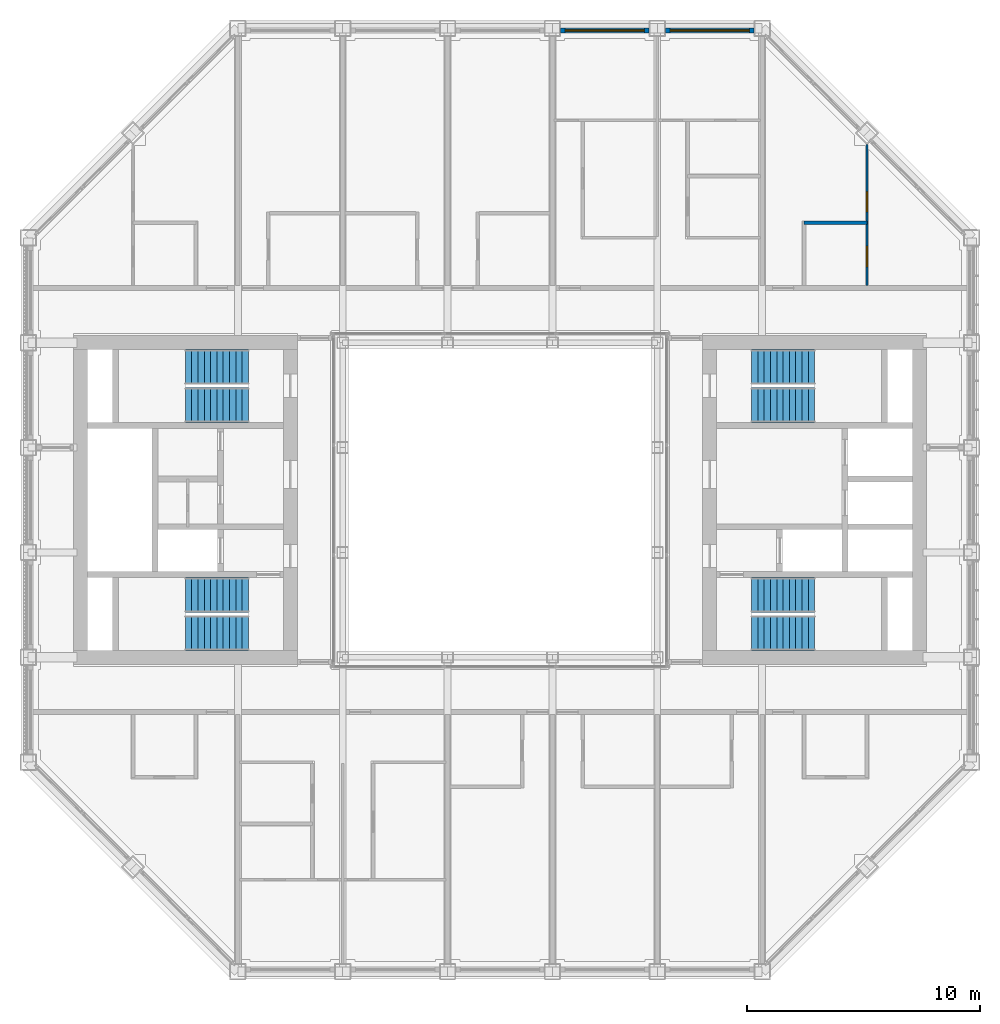
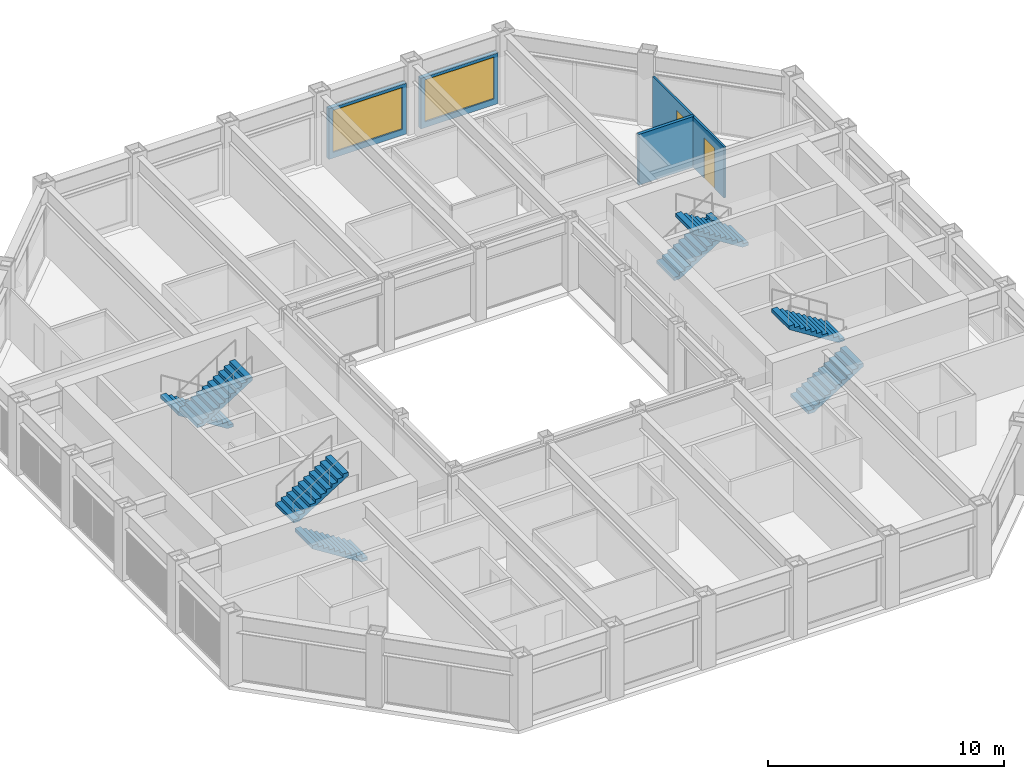
# One storey, part 13 of 18: 8 stair flights, 4 walls, 2 doors, 2 windows, 4 openings, 4 elements without a shape of their own.
"""IFC4 building model written with IfcOpenShell, lengths in metres."""

from ifc_helpers import new_model, si_unit, direction, frame, frame_2d, origin, place, context, subcontext, project, spatial, polyline, rectangle, outline, extrude, material, layer, layer_set, type_object, element, fill, aggregate, save


model = new_model("IFC4")

# Units and contexts
model_context = context("Model", 3, precision=1e-05, world=origin(), true_north=direction((0.0, 1.0)))
body_context = subcontext(model_context, "Body", "Model", "MODEL_VIEW")
ifc_project = project(units=[si_unit("LENGTHUNIT", "METRE"), si_unit("AREAUNIT", "SQUARE_METRE"), si_unit("VOLUMEUNIT", "CUBIC_METRE"), si_unit("PLANEANGLEUNIT", "RADIAN"), si_unit("MASSUNIT", "GRAM", prefix="KILO")], contexts=[model_context])

# Site, building, storey
site_placement = place(None, origin())
site = spatial("IfcSite", under=ifc_project, at=site_placement, CompositionType="ELEMENT")
building_placement = place(site_placement, origin())
building = spatial("IfcBuilding", under=site, at=building_placement, Name="Msasa Ring Tower", CompositionType="ELEMENT")
storey_placement = place(building_placement, frame((0.0, 0.0, 223.300048828125)))
storey = spatial("IfcBuildingStorey", under=building, at=storey_placement, Name="L58", CompositionType="ELEMENT", Elevation=223.300048828125)

# Wall, opening, window
ifc_material_1 = material(Name="Terracotta rainscreen on blockwork", Category="masonry")
ifc_layer_1 = layer(ifc_material_1, 0.199951171875)
ifc_layer_set_1 = layer_set([ifc_layer_1], Name="FW1 TERRACOTTA-LINED INFILL BAY WALL 200")
wall_type_1 = type_object("IfcWallType", Name="FW1 TERRACOTTA-LINED INFILL BAY WALL 200", PredefinedType="SOLIDWALL", material=ifc_layer_set_1)
wall_1_placement = place(storey_placement, frame((2.60498046875, 20.14990234375, 0.0), z_axis=(0.0, 0.0, 1.0), x_axis=(1.0, 0.0, 0.0)))
wall_1 = element("IfcWall", 1, at=wall_1_placement, inside=storey, type_object=wall_type_1, Name="Infill bay wall N L58 17", PredefinedType="SOLIDWALL", context=body_context, shape_type="SweptSolid", body=[
    extrude(rectangle(XDim=3.7900390625, YDim=0.199951171875, at=frame_2d((1.89501953125, 0.0))), origin(), (0.0, 0.0, 1.0), 2.62890625),
])
opening_1_placement = place(wall_1_placement, frame((0.195068359375, 0.0, 0.300048828125)))
opening_1 = element("IfcOpeningElement", 2, at=opening_1_placement, cuts=wall_1, Name="Opening WN3", PredefinedType="OPENING", context=body_context, shape_type="SweptSolid", body=[
    extrude(rectangle(XDim=3.39990234375, YDim=2.178955078125, at=frame_2d((1.699951171875, 1.08935546875))), frame((0.0, 0.10986328125, 0.0), z_axis=(0.0, -1.0, 0.0), x_axis=(1.0, 0.0, 0.0)), (0.0, 0.0, 1.0), 0.219970703125),
])
ifc_material_2 = material(Name="Aluminium frame with clear glass", Category="aluminium")
window_type = type_object("IfcWindowType", Name="WN3 SUITE WINDOW 3400x2179", PartitioningType="SINGLE_PANEL", PredefinedType="WINDOW", material=ifc_material_2)
window_1_placement = place(opening_1_placement, origin())
window_1 = element("IfcWindow", 3, at=window_1_placement, inside=storey, type_object=window_type, Name="Window N L58 17", OverallHeight=2.178955078125, OverallWidth=3.39990234375, PartitioningType="SINGLE_PANEL", PredefinedType="WINDOW", context=body_context, shape_type="SweptSolid", body=[
    extrude(rectangle(XDim=3.39990234375, YDim=2.178955078125, at=frame_2d((1.699951171875, 1.08935546875))), frame((0.0, 0.030029296875, 0.0), z_axis=(0.0, -1.0, 0.0), x_axis=(1.0, 0.0, 0.0)), (0.0, 0.0, 1.0), 0.06005859375),
])
fill(opening_1, window_1)

wall_2_placement = place(storey_placement, frame((7.10498046875, 20.14990234375, 0.0), z_axis=(0.0, 0.0, 1.0), x_axis=(1.0, 0.0, 0.0)))
wall_2 = element("IfcWall", 4, at=wall_2_placement, inside=storey, type_object=wall_type_1, Name="Infill bay wall N L58 18", PredefinedType="SOLIDWALL", context=body_context, shape_type="SweptSolid", body=[
    extrude(rectangle(XDim=3.7900390625, YDim=0.199951171875, at=frame_2d((1.89501953125, 0.0))), origin(), (0.0, 0.0, 1.0), 2.62890625),
])
opening_2_placement = place(wall_2_placement, frame((0.195068359375, 0.0, 0.300048828125)))
opening_2 = element("IfcOpeningElement", 5, at=opening_2_placement, cuts=wall_2, Name="Opening WN3", PredefinedType="OPENING", context=body_context, shape_type="SweptSolid", body=[
    extrude(rectangle(XDim=3.39990234375, YDim=2.178955078125, at=frame_2d((1.699951171875, 1.08935546875))), frame((0.0, 0.10986328125, 0.0), z_axis=(0.0, -1.0, 0.0), x_axis=(1.0, 0.0, 0.0)), (0.0, 0.0, 1.0), 0.219970703125),
])
window_2_placement = place(opening_2_placement, origin())
window_2 = element("IfcWindow", 6, at=window_2_placement, inside=storey, type_object=window_type, Name="Window N L58 18", OverallHeight=2.178955078125, OverallWidth=3.39990234375, PartitioningType="SINGLE_PANEL", PredefinedType="WINDOW", context=body_context, shape_type="SweptSolid", body=[
    extrude(rectangle(XDim=3.39990234375, YDim=2.178955078125, at=frame_2d((1.699951171875, 1.08935546875))), frame((0.0, 0.030029296875, 0.0), z_axis=(0.0, -1.0, 0.0), x_axis=(1.0, 0.0, 0.0)), (0.0, 0.0, 1.0), 0.06005859375),
])
fill(opening_2, window_2)

# Wall, openings, doors
ifc_material_3 = material(Name="Gypsum board on steel studs", Category="steel")
ifc_layer_2 = layer(ifc_material_3, 0.10009765625)
ifc_layer_set_2 = layer_set([ifc_layer_2], Name="PT2 STUD PARTITION 100")
wall_type_2 = type_object("IfcWallType", Name="PT2 STUD PARTITION 100", PredefinedType="PARTITIONING", material=ifc_layer_set_2)
wall_3_placement = place(storey_placement, frame((15.75, 9.199951171875, 0.0), z_axis=(0.0, 0.0, 1.0), x_axis=(0.0, 1.0, 0.0)))
wall_3 = element("IfcWall", 7, at=wall_3_placement, inside=storey, type_object=wall_type_2, Name="Partition L58-CSNEP1", PredefinedType="PARTITIONING", context=body_context, shape_type="SweptSolid", body=[
    extrude(rectangle(XDim=6.054931640625, YDim=0.10009765625, at=frame_2d((3.02734375, 0.0))), origin(), (0.0, 0.0, 1.0), 2.62890625),
])
opening_3_placement = place(wall_3_placement, frame((3.175048828125, 0.0, 0.0)))
opening_3 = element("IfcOpeningElement", 8, at=opening_3_placement, cuts=wall_3, Name="Opening SC-006", PredefinedType="OPENING", context=body_context, shape_type="SweptSolid", body=[
    extrude(rectangle(XDim=0.85009765625, YDim=2.10009765625, at=frame_2d((0.425048828125, 1.050048828125))), frame((0.0, 0.06005859375, 0.0), z_axis=(0.0, -1.0, 0.0), x_axis=(1.0, 0.0, 0.0)), (0.0, 0.0, 1.0), 0.1201171875),
])
opening_4_placement = place(wall_3_placement, frame((0.800048828125, 0.0, 0.0)))
opening_4 = element("IfcOpeningElement", 9, at=opening_4_placement, cuts=wall_3, Name="Opening SC-012", PredefinedType="OPENING", context=body_context, shape_type="SweptSolid", body=[
    extrude(rectangle(XDim=0.89990234375, YDim=2.10009765625, at=frame_2d((0.449951171875, 1.050048828125))), frame((0.0, 0.06005859375, 0.0), z_axis=(0.0, -1.0, 0.0), x_axis=(1.0, 0.0, 0.0)), (0.0, 0.0, 1.0), 0.1201171875),
])
ifc_material_4 = material(Name="Timber door leaf in a steel frame", Category="steel")
door_type_1 = type_object("IfcDoorType", Name="D14 BEDROOM DOOR 850x2100", OperationType="SINGLE_SWING_LEFT", PredefinedType="DOOR", material=ifc_material_4)
door_1_placement = place(opening_3_placement, origin())
door_1 = element("IfcDoor", 10, at=door_1_placement, inside=storey, type_object=door_type_1, Name="Door L58-CSNER1", OperationType="SINGLE_SWING_RIGHT", OverallHeight=2.10009765625, OverallWidth=0.85009765625, PredefinedType="DOOR", context=body_context, shape_type="SweptSolid", body=[
    extrude(rectangle(XDim=0.85009765625, YDim=2.10009765625, at=frame_2d((0.425048828125, 1.050048828125))), frame((0.0, 0.02490234375, 0.0), z_axis=(0.0, -1.0, 0.0), x_axis=(1.0, 0.0, 0.0)), (0.0, 0.0, 1.0), 0.050048828125),
])
fill(opening_3, door_1)
ifc_material_5 = material(Name="Timber door leaf in a steel frame", Category="steel")
door_type_2 = type_object("IfcDoorType", Name="D3 BATHROOM DOOR 900x2100", OperationType="SINGLE_SWING_LEFT", PredefinedType="DOOR", material=ifc_material_5)
door_2_placement = place(opening_4_placement, origin())
door_2 = element("IfcDoor", 11, at=door_2_placement, inside=storey, type_object=door_type_2, Name="Door L58-CSNEB1", OperationType="SINGLE_SWING_LEFT", OverallHeight=2.10009765625, OverallWidth=0.89990234375, PredefinedType="DOOR", context=body_context, shape_type="SweptSolid", body=[
    extrude(rectangle(XDim=0.89990234375, YDim=2.10009765625, at=frame_2d((0.449951171875, 1.050048828125))), frame((0.0, 0.02490234375, 0.0), z_axis=(0.0, -1.0, 0.0), x_axis=(1.0, 0.0, 0.0)), (0.0, 0.0, 1.0), 0.050048828125),
])
fill(opening_4, door_2)

# Wall
ifc_material_6 = material(Name="Moisture-resistant board on steel studs with a concealed cistern and pipe void, tiled", Category="steel")
ifc_layer_3 = layer(ifc_material_6, 0.14990234375)
ifc_layer_set_3 = layer_set([ifc_layer_3], Name="PT4 BATHROOM WET WALL 150")
wall_type_3 = type_object("IfcWallType", Name="PT4 BATHROOM WET WALL 150", PredefinedType="PARTITIONING", material=ifc_layer_set_3)
wall_4_placement = place(storey_placement, frame((13.050048828125, 11.89990234375, 0.0), z_axis=(0.0, 0.0, 1.0), x_axis=(1.0, 0.0, 0.0)))
element("IfcWall", 12, at=wall_4_placement, inside=storey, type_object=wall_type_3, Name="Partition L58-CSNEBY", PredefinedType="PARTITIONING", context=body_context, shape_type="SweptSolid", body=[
    extrude(rectangle(XDim=2.699951171875, YDim=0.14990234375, at=frame_2d((1.35009765625, 0.0))), origin(), (0.0, 0.0, 1.0), 2.62890625),
])

# Stair, stair flights
ifc_material_7 = material(Name="Concrete C40/50", Category="concrete")
stair_type = type_object("IfcStairType", Name="STC CORE STAIR 22 RISERS 170.5", PredefinedType="HALF_TURN_STAIR", material=ifc_material_7)
stair_1_placement = place(storey_placement, origin())
stair_1 = element("IfcStair", 13, at=stair_1_placement, inside=storey, type_object=stair_type, Name="Core stair SEA L58", PredefinedType="HALF_TURN_STAIR")
ifc_material_8 = material(Name="Concrete C40/50", Category="concrete")
stair_flight_type = type_object("IfcStairFlightType", Name="ST11 CORE STAIR FLIGHT 1500 11 RISERS 170.5", PredefinedType="STRAIGHT", material=ifc_material_8)
stair_flight_1_placement = place(storey_placement, frame((10.800048828125, -5.699951171875, 0.0), z_axis=(0.0, 0.0, 1.0), x_axis=(1.0, 0.0, 0.0)))
stair_flight_1 = element("IfcStairFlight", 14, at=stair_flight_1_placement, type_object=stair_flight_type, Name="SEA flight 1", NumberOfRisers=11, NumberOfTreads=10, PredefinedType="STRAIGHT", RiserHeight=0.170454545, TreadLength=0.27, context=body_context, shape_type="SweptSolid", body=[
    extrude(outline(polyline([(0.0, 0.0), (0.0, 0.17041015625), (0.27001953125, 0.17041015625), (0.27001953125, 0.3408203125), (0.5400390625, 0.3408203125), (0.5400390625, 0.511474609375), (0.81005859375, 0.511474609375), (0.81005859375, 0.681884765625), (1.080078125, 0.681884765625), (1.080078125, 0.852294921875), (1.35009765625, 0.852294921875), (1.35009765625, 1.022705078125), (1.6201171875, 1.022705078125), (1.6201171875, 1.193115234375), (1.889892578125, 1.193115234375), (1.889892578125, 1.363525390625), (2.159912109375, 1.363525390625), (2.159912109375, 1.5341796875), (2.429931640625, 1.5341796875), (2.429931640625, 1.70458984375), (2.699951171875, 1.70458984375), (2.699951171875, 1.875), (2.699951171875, 1.52734375), (0.28076171875, 0.0), (0.0, 0.0)])), frame((0.0, 0.75, 0.0), z_axis=(0.0, -1.0, 0.0), x_axis=(1.0, 0.0, 0.0)), (0.0, 0.0, 1.0), 1.5),
])
stair_flight_2_placement = place(storey_placement, frame((13.5, -4.074951171875, 1.875), z_axis=(0.0, 0.0, 1.0), x_axis=(-1.0, 0.0, 0.0)))
stair_flight_2 = element("IfcStairFlight", 15, at=stair_flight_2_placement, type_object=stair_flight_type, Name="SEA flight 2", NumberOfRisers=11, NumberOfTreads=10, PredefinedType="STRAIGHT", RiserHeight=0.170454545, TreadLength=0.27, context=body_context, shape_type="SweptSolid", body=[
    extrude(outline(polyline([(0.0, 0.0), (0.0, 0.17041015625), (0.27001953125, 0.17041015625), (0.27001953125, 0.3408203125), (0.5400390625, 0.3408203125), (0.5400390625, 0.511474609375), (0.81005859375, 0.511474609375), (0.81005859375, 0.681884765625), (1.080078125, 0.681884765625), (1.080078125, 0.852294921875), (1.35009765625, 0.852294921875), (1.35009765625, 1.022705078125), (1.6201171875, 1.022705078125), (1.6201171875, 1.193115234375), (1.889892578125, 1.193115234375), (1.889892578125, 1.363525390625), (2.159912109375, 1.363525390625), (2.159912109375, 1.5341796875), (2.429931640625, 1.5341796875), (2.429931640625, 1.70458984375), (2.699951171875, 1.70458984375), (2.699951171875, 1.875), (2.699951171875, 1.52734375), (0.28076171875, 0.0), (0.0, 0.0)])), frame((0.0, 0.75, 0.0), z_axis=(0.0, -1.0, 0.0), x_axis=(1.0, 0.0, 0.0)), (0.0, 0.0, 1.0), 1.5),
])
aggregate(stair_1, [stair_flight_1, stair_flight_2])

stair_2_placement = place(storey_placement, origin())
stair_2 = element("IfcStair", 16, at=stair_2_placement, inside=storey, type_object=stair_type, Name="Core stair SEB L58", PredefinedType="HALF_TURN_STAIR")
stair_flight_3_placement = place(storey_placement, frame((10.800048828125, 5.699951171875, 0.0), z_axis=(0.0, 0.0, 1.0), x_axis=(1.0, 0.0, 0.0)))
stair_flight_3 = element("IfcStairFlight", 17, at=stair_flight_3_placement, type_object=stair_flight_type, Name="SEB flight 1", NumberOfRisers=11, NumberOfTreads=10, PredefinedType="STRAIGHT", RiserHeight=0.170454545, TreadLength=0.27, context=body_context, shape_type="SweptSolid", body=[
    extrude(outline(polyline([(0.0, 0.0), (0.0, 0.17041015625), (0.27001953125, 0.17041015625), (0.27001953125, 0.3408203125), (0.5400390625, 0.3408203125), (0.5400390625, 0.511474609375), (0.81005859375, 0.511474609375), (0.81005859375, 0.681884765625), (1.080078125, 0.681884765625), (1.080078125, 0.852294921875), (1.35009765625, 0.852294921875), (1.35009765625, 1.022705078125), (1.6201171875, 1.022705078125), (1.6201171875, 1.193115234375), (1.889892578125, 1.193115234375), (1.889892578125, 1.363525390625), (2.159912109375, 1.363525390625), (2.159912109375, 1.5341796875), (2.429931640625, 1.5341796875), (2.429931640625, 1.70458984375), (2.699951171875, 1.70458984375), (2.699951171875, 1.875), (2.699951171875, 1.52734375), (0.28076171875, 0.0), (0.0, 0.0)])), frame((0.0, 0.75, 0.0), z_axis=(0.0, -1.0, 0.0), x_axis=(1.0, 0.0, 0.0)), (0.0, 0.0, 1.0), 1.5),
])
stair_flight_4_placement = place(storey_placement, frame((13.5, 4.074951171875, 1.875), z_axis=(0.0, 0.0, 1.0), x_axis=(-1.0, 0.0, 0.0)))
stair_flight_4 = element("IfcStairFlight", 18, at=stair_flight_4_placement, type_object=stair_flight_type, Name="SEB flight 2", NumberOfRisers=11, NumberOfTreads=10, PredefinedType="STRAIGHT", RiserHeight=0.170454545, TreadLength=0.27, context=body_context, shape_type="SweptSolid", body=[
    extrude(outline(polyline([(0.0, 0.0), (0.0, 0.17041015625), (0.27001953125, 0.17041015625), (0.27001953125, 0.3408203125), (0.5400390625, 0.3408203125), (0.5400390625, 0.511474609375), (0.81005859375, 0.511474609375), (0.81005859375, 0.681884765625), (1.080078125, 0.681884765625), (1.080078125, 0.852294921875), (1.35009765625, 0.852294921875), (1.35009765625, 1.022705078125), (1.6201171875, 1.022705078125), (1.6201171875, 1.193115234375), (1.889892578125, 1.193115234375), (1.889892578125, 1.363525390625), (2.159912109375, 1.363525390625), (2.159912109375, 1.5341796875), (2.429931640625, 1.5341796875), (2.429931640625, 1.70458984375), (2.699951171875, 1.70458984375), (2.699951171875, 1.875), (2.699951171875, 1.52734375), (0.28076171875, 0.0), (0.0, 0.0)])), frame((0.0, 0.75, 0.0), z_axis=(0.0, -1.0, 0.0), x_axis=(1.0, 0.0, 0.0)), (0.0, 0.0, 1.0), 1.5),
])
aggregate(stair_2, [stair_flight_3, stair_flight_4])

stair_3_placement = place(storey_placement, origin())
stair_3 = element("IfcStair", 19, at=stair_3_placement, inside=storey, type_object=stair_type, Name="Core stair SWA L58", PredefinedType="HALF_TURN_STAIR")
stair_flight_5_placement = place(storey_placement, frame((-10.800048828125, -5.699951171875, 0.0), z_axis=(0.0, 0.0, 1.0), x_axis=(-1.0, 0.0, 0.0)))
stair_flight_5 = element("IfcStairFlight", 20, at=stair_flight_5_placement, type_object=stair_flight_type, Name="SWA flight 1", NumberOfRisers=11, NumberOfTreads=10, PredefinedType="STRAIGHT", RiserHeight=0.170454545, TreadLength=0.27, context=body_context, shape_type="SweptSolid", body=[
    extrude(outline(polyline([(0.0, 0.0), (0.0, 0.17041015625), (0.27001953125, 0.17041015625), (0.27001953125, 0.3408203125), (0.5400390625, 0.3408203125), (0.5400390625, 0.511474609375), (0.81005859375, 0.511474609375), (0.81005859375, 0.681884765625), (1.080078125, 0.681884765625), (1.080078125, 0.852294921875), (1.35009765625, 0.852294921875), (1.35009765625, 1.022705078125), (1.6201171875, 1.022705078125), (1.6201171875, 1.193115234375), (1.889892578125, 1.193115234375), (1.889892578125, 1.363525390625), (2.159912109375, 1.363525390625), (2.159912109375, 1.5341796875), (2.429931640625, 1.5341796875), (2.429931640625, 1.70458984375), (2.699951171875, 1.70458984375), (2.699951171875, 1.875), (2.699951171875, 1.52734375), (0.28076171875, 0.0), (0.0, 0.0)])), frame((0.0, 0.75, 0.0), z_axis=(0.0, -1.0, 0.0), x_axis=(1.0, 0.0, 0.0)), (0.0, 0.0, 1.0), 1.5),
])
stair_flight_6_placement = place(storey_placement, frame((-13.5, -4.074951171875, 1.875), z_axis=(0.0, 0.0, 1.0), x_axis=(1.0, 0.0, 0.0)))
stair_flight_6 = element("IfcStairFlight", 21, at=stair_flight_6_placement, type_object=stair_flight_type, Name="SWA flight 2", NumberOfRisers=11, NumberOfTreads=10, PredefinedType="STRAIGHT", RiserHeight=0.170454545, TreadLength=0.27, context=body_context, shape_type="SweptSolid", body=[
    extrude(outline(polyline([(0.0, 0.0), (0.0, 0.17041015625), (0.27001953125, 0.17041015625), (0.27001953125, 0.3408203125), (0.5400390625, 0.3408203125), (0.5400390625, 0.511474609375), (0.81005859375, 0.511474609375), (0.81005859375, 0.681884765625), (1.080078125, 0.681884765625), (1.080078125, 0.852294921875), (1.35009765625, 0.852294921875), (1.35009765625, 1.022705078125), (1.6201171875, 1.022705078125), (1.6201171875, 1.193115234375), (1.889892578125, 1.193115234375), (1.889892578125, 1.363525390625), (2.159912109375, 1.363525390625), (2.159912109375, 1.5341796875), (2.429931640625, 1.5341796875), (2.429931640625, 1.70458984375), (2.699951171875, 1.70458984375), (2.699951171875, 1.875), (2.699951171875, 1.52734375), (0.28076171875, 0.0), (0.0, 0.0)])), frame((0.0, 0.75, 0.0), z_axis=(0.0, -1.0, 0.0), x_axis=(1.0, 0.0, 0.0)), (0.0, 0.0, 1.0), 1.5),
])
aggregate(stair_3, [stair_flight_5, stair_flight_6])

stair_4_placement = place(storey_placement, origin())
stair_4 = element("IfcStair", 22, at=stair_4_placement, inside=storey, type_object=stair_type, Name="Core stair SWB L58", PredefinedType="HALF_TURN_STAIR")
stair_flight_7_placement = place(storey_placement, frame((-10.800048828125, 5.699951171875, 0.0), z_axis=(0.0, 0.0, 1.0), x_axis=(-1.0, 0.0, 0.0)))
stair_flight_7 = element("IfcStairFlight", 23, at=stair_flight_7_placement, type_object=stair_flight_type, Name="SWB flight 1", NumberOfRisers=11, NumberOfTreads=10, PredefinedType="STRAIGHT", RiserHeight=0.170454545, TreadLength=0.27, context=body_context, shape_type="SweptSolid", body=[
    extrude(outline(polyline([(0.0, 0.0), (0.0, 0.17041015625), (0.27001953125, 0.17041015625), (0.27001953125, 0.3408203125), (0.5400390625, 0.3408203125), (0.5400390625, 0.511474609375), (0.81005859375, 0.511474609375), (0.81005859375, 0.681884765625), (1.080078125, 0.681884765625), (1.080078125, 0.852294921875), (1.35009765625, 0.852294921875), (1.35009765625, 1.022705078125), (1.6201171875, 1.022705078125), (1.6201171875, 1.193115234375), (1.889892578125, 1.193115234375), (1.889892578125, 1.363525390625), (2.159912109375, 1.363525390625), (2.159912109375, 1.5341796875), (2.429931640625, 1.5341796875), (2.429931640625, 1.70458984375), (2.699951171875, 1.70458984375), (2.699951171875, 1.875), (2.699951171875, 1.52734375), (0.28076171875, 0.0), (0.0, 0.0)])), frame((0.0, 0.75, 0.0), z_axis=(0.0, -1.0, 0.0), x_axis=(1.0, 0.0, 0.0)), (0.0, 0.0, 1.0), 1.5),
])
stair_flight_8_placement = place(storey_placement, frame((-13.5, 4.074951171875, 1.875), z_axis=(0.0, 0.0, 1.0), x_axis=(1.0, 0.0, 0.0)))
stair_flight_8 = element("IfcStairFlight", 24, at=stair_flight_8_placement, type_object=stair_flight_type, Name="SWB flight 2", NumberOfRisers=11, NumberOfTreads=10, PredefinedType="STRAIGHT", RiserHeight=0.170454545, TreadLength=0.27, context=body_context, shape_type="SweptSolid", body=[
    extrude(outline(polyline([(0.0, 0.0), (0.0, 0.17041015625), (0.27001953125, 0.17041015625), (0.27001953125, 0.3408203125), (0.5400390625, 0.3408203125), (0.5400390625, 0.511474609375), (0.81005859375, 0.511474609375), (0.81005859375, 0.681884765625), (1.080078125, 0.681884765625), (1.080078125, 0.852294921875), (1.35009765625, 0.852294921875), (1.35009765625, 1.022705078125), (1.6201171875, 1.022705078125), (1.6201171875, 1.193115234375), (1.889892578125, 1.193115234375), (1.889892578125, 1.363525390625), (2.159912109375, 1.363525390625), (2.159912109375, 1.5341796875), (2.429931640625, 1.5341796875), (2.429931640625, 1.70458984375), (2.699951171875, 1.70458984375), (2.699951171875, 1.875), (2.699951171875, 1.52734375), (0.28076171875, 0.0), (0.0, 0.0)])), frame((0.0, 0.75, 0.0), z_axis=(0.0, -1.0, 0.0), x_axis=(1.0, 0.0, 0.0)), (0.0, 0.0, 1.0), 1.5),
])
aggregate(stair_4, [stair_flight_7, stair_flight_8])

save(model, "model.ifc")
